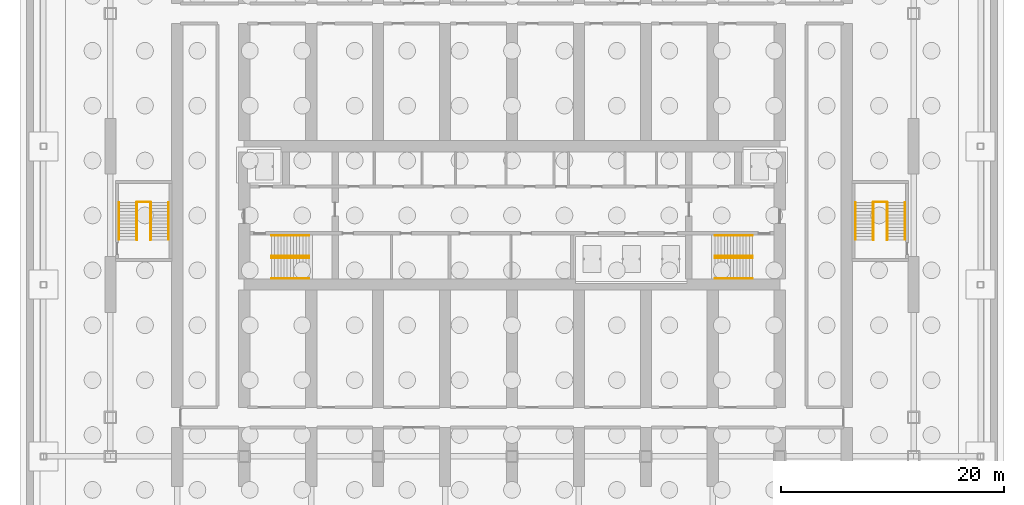
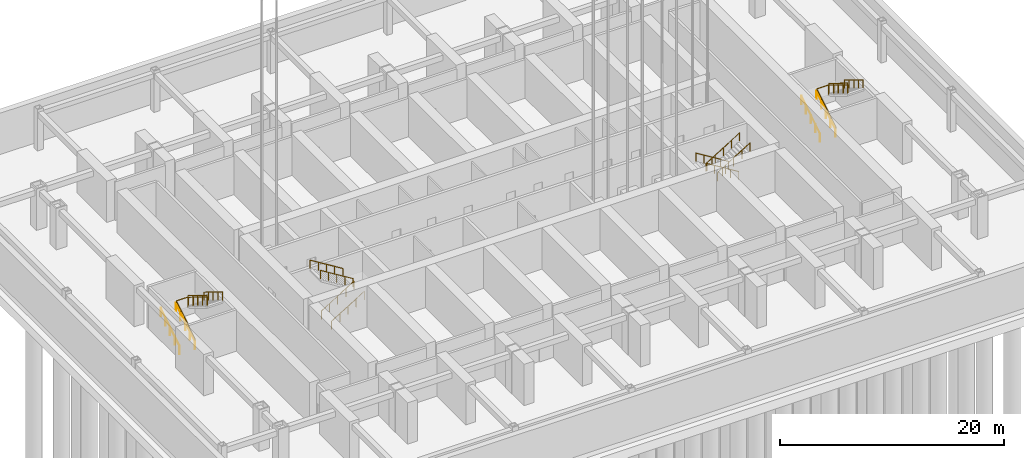
# One storey, part 17 of 28: 22 railings.
"""IFC4 building model written with IfcOpenShell, lengths in metres."""

from ifc_helpers import new_model, si_unit, direction, frame, origin, origin_2d, place, context, subcontext, project, spatial, circle, extrude, material, type_object, element, save


model = new_model("IFC4")

# Units and contexts
model_context = context("Model", 3, precision=1e-05, world=origin(), true_north=direction((0.0, 1.0)))
body_context = subcontext(model_context, "Body", "Model", "MODEL_VIEW")
ifc_project = project(units=[si_unit("LENGTHUNIT", "METRE"), si_unit("AREAUNIT", "SQUARE_METRE"), si_unit("VOLUMEUNIT", "CUBIC_METRE"), si_unit("PLANEANGLEUNIT", "RADIAN"), si_unit("MASSUNIT", "GRAM", prefix="KILO")], contexts=[model_context])

# Site, building, storey
site_placement = place(None, origin())
site = spatial("IfcSite", under=ifc_project, at=site_placement, CompositionType="ELEMENT")
building_placement = place(site_placement, origin())
building = spatial("IfcBuilding", under=site, at=building_placement, Name="Orbita Commons", CompositionType="ELEMENT")
storey_placement = place(building_placement, frame((0.0, 0.0, -9.0)))
storey = spatial("IfcBuildingStorey", under=building, at=storey_placement, Name="L-02", CompositionType="ELEMENT", Elevation=-9.0)

# Railings
ifc_material_1 = material(Name="Steel tube, painted", Category="steel")
railing_type_1 = type_object("IfcRailingType", Name="Stair handrail steel tube 900", PredefinedType="HANDRAIL", material=ifc_material_1)
for number, where, name in (
    (1, (20.449951171875, 28.18994140625, 0.173095703125), "Stair S1 handrail L-02 flight 1"),
    (2, (20.449951171875, 26.360107421875, 0.173095703125), "Stair S1 handrail L-02 flight 1"),
):
    element("IfcRailing", number, at=place(storey_placement, frame(where)), inside=storey, type_object=railing_type_1, Name=name, PredefinedType="HANDRAIL", context=body_context, shape_type="SweptSolid", body=[
        extrude(circle(Radius=0.02099609375, at=origin_2d()), frame((0.0, 0.0, 0.87890625), z_axis=(0.850623216509, 0.0, 0.525775754039), x_axis=(0.0, 1.0, 0.0)), (0.0, 0.0, 1.0), 3.9501953125),
        extrude(circle(Radius=0.02001953125, at=origin_2d()), origin(), (0.0, 0.0, 1.0), 0.85791015625),
        extrude(circle(Radius=0.02001953125, at=origin_2d()), frame((0.840087890625, 0.0, 0.519287109375)), (0.0, 0.0, 1.0), 0.85791015625),
        extrude(circle(Radius=0.02001953125, at=origin_2d()), frame((1.68017578125, 0.0, 1.03857421875)), (0.0, 0.0, 1.0), 0.85791015625),
        extrude(circle(Radius=0.02001953125, at=origin_2d()), frame((2.52001953125, 0.0, 1.5576171875)), (0.0, 0.0, 1.0), 0.85791015625),
        extrude(circle(Radius=0.02001953125, at=origin_2d()), frame((3.360107421875, 0.0, 2.076904296875)), (0.0, 0.0, 1.0), 0.85791015625),
    ])
for number, where, name in (
    (3, (23.81005859375, 28.360107421875, 2.423095703125), "Stair S1 handrail L-02 flight 2"),
    (4, (23.81005859375, 30.18994140625, 2.423095703125), "Stair S1 handrail L-02 flight 2"),
    (5, (63.550048828125, 28.360107421875, 0.173095703125), "Stair S2 handrail L-02 flight 1"),
    (6, (63.550048828125, 30.18994140625, 0.173095703125), "Stair S2 handrail L-02 flight 1"),
):
    element("IfcRailing", number, at=place(storey_placement, frame(where)), inside=storey, type_object=railing_type_1, Name=name, PredefinedType="HANDRAIL", context=body_context, shape_type="SweptSolid", body=[
        extrude(circle(Radius=0.02099609375, at=origin_2d()), frame((0.0, 0.0, 0.87890625), z_axis=(-0.850623216509, 0.0, 0.525775754039), x_axis=(0.0, -1.0, 0.0)), (0.0, 0.0, 1.0), 3.9501953125),
        extrude(circle(Radius=0.02001953125, at=origin_2d()), origin(), (0.0, 0.0, 1.0), 0.85791015625),
        extrude(circle(Radius=0.02001953125, at=origin_2d()), frame((-0.840087890625, 0.0, 0.519287109375)), (0.0, 0.0, 1.0), 0.85791015625),
        extrude(circle(Radius=0.02001953125, at=origin_2d()), frame((-1.68017578125, 0.0, 1.03857421875)), (0.0, 0.0, 1.0), 0.85791015625),
        extrude(circle(Radius=0.02001953125, at=origin_2d()), frame((-2.52001953125, 0.0, 1.5576171875)), (0.0, 0.0, 1.0), 0.85791015625),
        extrude(circle(Radius=0.02001953125, at=origin_2d()), frame((-3.360107421875, 0.0, 2.076904296875)), (0.0, 0.0, 1.0), 0.85791015625),
    ])
for number, where, name in (
    (7, (60.18994140625, 28.18994140625, 2.423095703125), "Stair S2 handrail L-02 flight 2"),
    (8, (60.18994140625, 26.360107421875, 2.423095703125), "Stair S2 handrail L-02 flight 2"),
):
    element("IfcRailing", number, at=place(storey_placement, frame(where)), inside=storey, type_object=railing_type_1, Name=name, PredefinedType="HANDRAIL", context=body_context, shape_type="SweptSolid", body=[
        extrude(circle(Radius=0.02099609375, at=origin_2d()), frame((0.0, 0.0, 0.87890625), z_axis=(0.850623216509, 0.0, 0.525775754039), x_axis=(0.0, 1.0, 0.0)), (0.0, 0.0, 1.0), 3.9501953125),
        extrude(circle(Radius=0.02001953125, at=origin_2d()), origin(), (0.0, 0.0, 1.0), 0.85791015625),
        extrude(circle(Radius=0.02001953125, at=origin_2d()), frame((0.840087890625, 0.0, 0.519287109375)), (0.0, 0.0, 1.0), 0.85791015625),
        extrude(circle(Radius=0.02001953125, at=origin_2d()), frame((1.68017578125, 0.0, 1.03857421875)), (0.0, 0.0, 1.0), 0.85791015625),
        extrude(circle(Radius=0.02001953125, at=origin_2d()), frame((2.52001953125, 0.0, 1.5576171875)), (0.0, 0.0, 1.0), 0.85791015625),
        extrude(circle(Radius=0.02001953125, at=origin_2d()), frame((3.360107421875, 0.0, 2.076904296875)), (0.0, 0.0, 1.0), 0.85791015625),
    ])
for number, where, name in (
    (9, (6.784912109375, 29.820068359375, 0.173095703125), "Stair PS1 handrail L-02 flight 1"),
    (10, (8.35009765625, 29.820068359375, 0.173095703125), "Stair PS1 handrail L-02 flight 1"),
):
    element("IfcRailing", number, at=place(storey_placement, frame(where)), inside=storey, type_object=railing_type_1, Name=name, PredefinedType="HANDRAIL", context=body_context, shape_type="SweptSolid", body=[
        extrude(circle(Radius=0.02099609375, at=origin_2d()), frame((0.0, 0.0, 0.87890625), z_axis=(0.0, 0.850606129759, 0.525803396734), x_axis=(-1.0, 0.0, 0.0)), (0.0, 0.0, 1.0), 3.949951171875),
        extrude(circle(Radius=0.02001953125, at=origin_2d()), origin(), (0.0, 0.0, 1.0), 0.85791015625),
        extrude(circle(Radius=0.02001953125, at=origin_2d()), frame((0.0, 0.83984375, 0.519287109375)), (0.0, 0.0, 1.0), 0.85791015625),
        extrude(circle(Radius=0.02001953125, at=origin_2d()), frame((0.0, 1.679931640625, 1.03857421875)), (0.0, 0.0, 1.0), 0.85791015625),
        extrude(circle(Radius=0.02001953125, at=origin_2d()), frame((0.0, 2.52001953125, 1.5576171875)), (0.0, 0.0, 1.0), 0.85791015625),
        extrude(circle(Radius=0.02001953125, at=origin_2d()), frame((0.0, 3.35986328125, 2.076904296875)), (0.0, 0.0, 1.0), 0.85791015625),
    ])
for number, where, name in (
    (11, (11.215087890625, 33.179931640625, 2.423095703125), "Stair PS1 handrail L-02 flight 2"),
    (12, (9.64990234375, 33.179931640625, 2.423095703125), "Stair PS1 handrail L-02 flight 2"),
):
    element("IfcRailing", number, at=place(storey_placement, frame(where)), inside=storey, type_object=railing_type_1, Name=name, PredefinedType="HANDRAIL", context=body_context, shape_type="SweptSolid", body=[
        extrude(circle(Radius=0.02099609375, at=origin_2d()), frame((0.0, 0.0, 0.87890625), z_axis=(0.0, -0.850606129759, 0.525803396734), x_axis=(1.0, 0.0, 0.0)), (0.0, 0.0, 1.0), 3.949951171875),
        extrude(circle(Radius=0.02001953125, at=origin_2d()), origin(), (0.0, 0.0, 1.0), 0.85791015625),
        extrude(circle(Radius=0.02001953125, at=origin_2d()), frame((0.0, -0.83984375, 0.519287109375)), (0.0, 0.0, 1.0), 0.85791015625),
        extrude(circle(Radius=0.02001953125, at=origin_2d()), frame((0.0, -1.679931640625, 1.03857421875)), (0.0, 0.0, 1.0), 0.85791015625),
        extrude(circle(Radius=0.02001953125, at=origin_2d()), frame((0.0, -2.52001953125, 1.5576171875)), (0.0, 0.0, 1.0), 0.85791015625),
        extrude(circle(Radius=0.02001953125, at=origin_2d()), frame((0.0, -3.35986328125, 2.076904296875)), (0.0, 0.0, 1.0), 0.85791015625),
    ])
for number, where, name in (
    (13, (72.784912109375, 29.820068359375, 0.173095703125), "Stair PS2 handrail L-02 flight 1"),
    (14, (74.35009765625, 29.820068359375, 0.173095703125), "Stair PS2 handrail L-02 flight 1"),
):
    element("IfcRailing", number, at=place(storey_placement, frame(where)), inside=storey, type_object=railing_type_1, Name=name, PredefinedType="HANDRAIL", context=body_context, shape_type="SweptSolid", body=[
        extrude(circle(Radius=0.02099609375, at=origin_2d()), frame((0.0, 0.0, 0.87890625), z_axis=(0.0, 0.850606129759, 0.525803396734), x_axis=(-1.0, 0.0, 0.0)), (0.0, 0.0, 1.0), 3.949951171875),
        extrude(circle(Radius=0.02001953125, at=origin_2d()), origin(), (0.0, 0.0, 1.0), 0.85791015625),
        extrude(circle(Radius=0.02001953125, at=origin_2d()), frame((0.0, 0.83984375, 0.519287109375)), (0.0, 0.0, 1.0), 0.85791015625),
        extrude(circle(Radius=0.02001953125, at=origin_2d()), frame((0.0, 1.679931640625, 1.03857421875)), (0.0, 0.0, 1.0), 0.85791015625),
        extrude(circle(Radius=0.02001953125, at=origin_2d()), frame((0.0, 2.52001953125, 1.5576171875)), (0.0, 0.0, 1.0), 0.85791015625),
        extrude(circle(Radius=0.02001953125, at=origin_2d()), frame((0.0, 3.35986328125, 2.076904296875)), (0.0, 0.0, 1.0), 0.85791015625),
    ])
for number, where, name in (
    (15, (77.215087890625, 33.179931640625, 2.423095703125), "Stair PS2 handrail L-02 flight 2"),
    (16, (75.64990234375, 33.179931640625, 2.423095703125), "Stair PS2 handrail L-02 flight 2"),
):
    element("IfcRailing", number, at=place(storey_placement, frame(where)), inside=storey, type_object=railing_type_1, Name=name, PredefinedType="HANDRAIL", context=body_context, shape_type="SweptSolid", body=[
        extrude(circle(Radius=0.02099609375, at=origin_2d()), frame((0.0, 0.0, 0.87890625), z_axis=(0.0, -0.850606129759, 0.525803396734), x_axis=(1.0, 0.0, 0.0)), (0.0, 0.0, 1.0), 3.949951171875),
        extrude(circle(Radius=0.02001953125, at=origin_2d()), origin(), (0.0, 0.0, 1.0), 0.85791015625),
        extrude(circle(Radius=0.02001953125, at=origin_2d()), frame((0.0, -0.83984375, 0.519287109375)), (0.0, 0.0, 1.0), 0.85791015625),
        extrude(circle(Radius=0.02001953125, at=origin_2d()), frame((0.0, -1.679931640625, 1.03857421875)), (0.0, 0.0, 1.0), 0.85791015625),
        extrude(circle(Radius=0.02001953125, at=origin_2d()), frame((0.0, -2.52001953125, 1.5576171875)), (0.0, 0.0, 1.0), 0.85791015625),
        extrude(circle(Radius=0.02001953125, at=origin_2d()), frame((0.0, -3.35986328125, 2.076904296875)), (0.0, 0.0, 1.0), 0.85791015625),
    ])
ifc_material_2 = material(Name="Steel balustrade, painted", Category="steel")
railing_type_2 = type_object("IfcRailingType", Name="Stair well guard, steel balustrade 1100", PredefinedType="GUARDRAIL", material=ifc_material_2)
railing_1_placement = place(storey_placement, frame((8.389892578125, 29.820068359375, 0.173095703125)))
element("IfcRailing", 17, at=railing_1_placement, inside=storey, type_object=railing_type_2, Name="Stair PS1 well guard L-02 flight 1", PredefinedType="GUARDRAIL", context=body_context, shape_type="SweptSolid", body=[
    extrude(circle(Radius=0.02490234375, at=origin_2d()), frame((0.0, 0.0, 1.0751953125), z_axis=(0.0, 0.850606129759, 0.525803396734), x_axis=(-1.0, 0.0, 0.0)), (0.0, 0.0, 1.0), 3.949951171875),
    extrude(circle(Radius=0.02490234375, at=origin_2d()), origin(), (0.0, 0.0, 1.0), 1.050048828125),
    extrude(circle(Radius=0.02490234375, at=origin_2d()), frame((0.0, 0.83984375, 0.519287109375)), (0.0, 0.0, 1.0), 1.050048828125),
    extrude(circle(Radius=0.02490234375, at=origin_2d()), frame((0.0, 1.679931640625, 1.03857421875)), (0.0, 0.0, 1.0), 1.050048828125),
    extrude(circle(Radius=0.02490234375, at=origin_2d()), frame((0.0, 2.52001953125, 1.5576171875)), (0.0, 0.0, 1.0), 1.050048828125),
    extrude(circle(Radius=0.02490234375, at=origin_2d()), frame((0.0, 3.35986328125, 2.076904296875)), (0.0, 0.0, 1.0), 1.050048828125),
])
railing_2_placement = place(storey_placement, frame((9.610107421875, 33.179931640625, 2.423095703125)))
element("IfcRailing", 18, at=railing_2_placement, inside=storey, type_object=railing_type_2, Name="Stair PS1 well guard L-02 flight 2", PredefinedType="GUARDRAIL", context=body_context, shape_type="SweptSolid", body=[
    extrude(circle(Radius=0.02490234375, at=origin_2d()), frame((0.0, 0.0, 1.0751953125), z_axis=(0.0, -0.850606129759, 0.525803396734), x_axis=(1.0, 0.0, 0.0)), (0.0, 0.0, 1.0), 3.949951171875),
    extrude(circle(Radius=0.02490234375, at=origin_2d()), origin(), (0.0, 0.0, 1.0), 1.050048828125),
    extrude(circle(Radius=0.02490234375, at=origin_2d()), frame((0.0, -0.83984375, 0.519287109375)), (0.0, 0.0, 1.0), 1.050048828125),
    extrude(circle(Radius=0.02490234375, at=origin_2d()), frame((0.0, -1.679931640625, 1.03857421875)), (0.0, 0.0, 1.0), 1.050048828125),
    extrude(circle(Radius=0.02490234375, at=origin_2d()), frame((0.0, -2.52001953125, 1.5576171875)), (0.0, 0.0, 1.0), 1.050048828125),
    extrude(circle(Radius=0.02490234375, at=origin_2d()), frame((0.0, -3.35986328125, 2.076904296875)), (0.0, 0.0, 1.0), 1.050048828125),
])
railing_3_placement = place(storey_placement, frame((8.409912109375, 33.2099609375, 2.25)))
element("IfcRailing", 19, at=railing_3_placement, inside=storey, type_object=railing_type_2, Name="Stair PS1 landing well guard L-02 1", PredefinedType="GUARDRAIL", context=body_context, shape_type="SweptSolid", body=[
    extrude(circle(Radius=0.02490234375, at=origin_2d()), frame((0.0, 0.0, 1.0751953125), z_axis=(1.0, 0.0, 0.0), x_axis=(0.0, 1.0, 0.0)), (0.0, 0.0, 1.0), 1.18017578125),
    extrude(circle(Radius=0.02490234375, at=origin_2d()), origin(), (0.0, 0.0, 1.0), 1.050048828125),
    extrude(circle(Radius=0.02490234375, at=origin_2d()), frame((1.18017578125, 0.0, 0.0)), (0.0, 0.0, 1.0), 1.050048828125),
])
railing_4_placement = place(storey_placement, frame((74.389892578125, 29.820068359375, 0.173095703125)))
element("IfcRailing", 20, at=railing_4_placement, inside=storey, type_object=railing_type_2, Name="Stair PS2 well guard L-02 flight 1", PredefinedType="GUARDRAIL", context=body_context, shape_type="SweptSolid", body=[
    extrude(circle(Radius=0.02490234375, at=origin_2d()), frame((0.0, 0.0, 1.0751953125), z_axis=(0.0, 0.850606129759, 0.525803396734), x_axis=(-1.0, 0.0, 0.0)), (0.0, 0.0, 1.0), 3.949951171875),
    extrude(circle(Radius=0.02490234375, at=origin_2d()), origin(), (0.0, 0.0, 1.0), 1.050048828125),
    extrude(circle(Radius=0.02490234375, at=origin_2d()), frame((0.0, 0.83984375, 0.519287109375)), (0.0, 0.0, 1.0), 1.050048828125),
    extrude(circle(Radius=0.02490234375, at=origin_2d()), frame((0.0, 1.679931640625, 1.03857421875)), (0.0, 0.0, 1.0), 1.050048828125),
    extrude(circle(Radius=0.02490234375, at=origin_2d()), frame((0.0, 2.52001953125, 1.5576171875)), (0.0, 0.0, 1.0), 1.050048828125),
    extrude(circle(Radius=0.02490234375, at=origin_2d()), frame((0.0, 3.35986328125, 2.076904296875)), (0.0, 0.0, 1.0), 1.050048828125),
])
railing_5_placement = place(storey_placement, frame((75.610107421875, 33.179931640625, 2.423095703125)))
element("IfcRailing", 21, at=railing_5_placement, inside=storey, type_object=railing_type_2, Name="Stair PS2 well guard L-02 flight 2", PredefinedType="GUARDRAIL", context=body_context, shape_type="SweptSolid", body=[
    extrude(circle(Radius=0.02490234375, at=origin_2d()), frame((0.0, 0.0, 1.0751953125), z_axis=(0.0, -0.850606129759, 0.525803396734), x_axis=(1.0, 0.0, 0.0)), (0.0, 0.0, 1.0), 3.949951171875),
    extrude(circle(Radius=0.02490234375, at=origin_2d()), origin(), (0.0, 0.0, 1.0), 1.050048828125),
    extrude(circle(Radius=0.02490234375, at=origin_2d()), frame((0.0, -0.83984375, 0.519287109375)), (0.0, 0.0, 1.0), 1.050048828125),
    extrude(circle(Radius=0.02490234375, at=origin_2d()), frame((0.0, -1.679931640625, 1.03857421875)), (0.0, 0.0, 1.0), 1.050048828125),
    extrude(circle(Radius=0.02490234375, at=origin_2d()), frame((0.0, -2.52001953125, 1.5576171875)), (0.0, 0.0, 1.0), 1.050048828125),
    extrude(circle(Radius=0.02490234375, at=origin_2d()), frame((0.0, -3.35986328125, 2.076904296875)), (0.0, 0.0, 1.0), 1.050048828125),
])
railing_6_placement = place(storey_placement, frame((74.409912109375, 33.2099609375, 2.25)))
element("IfcRailing", 22, at=railing_6_placement, inside=storey, type_object=railing_type_2, Name="Stair PS2 landing well guard L-02 1", PredefinedType="GUARDRAIL", context=body_context, shape_type="SweptSolid", body=[
    extrude(circle(Radius=0.02490234375, at=origin_2d()), frame((0.0, 0.0, 1.0751953125), z_axis=(1.0, 0.0, 0.0), x_axis=(0.0, 1.0, 0.0)), (0.0, 0.0, 1.0), 1.18017578125),
    extrude(circle(Radius=0.02490234375, at=origin_2d()), origin(), (0.0, 0.0, 1.0), 1.050048828125),
    extrude(circle(Radius=0.02490234375, at=origin_2d()), frame((1.18017578125, 0.0, 0.0)), (0.0, 0.0, 1.0), 1.050048828125),
])

save(model, "model.ifc")
